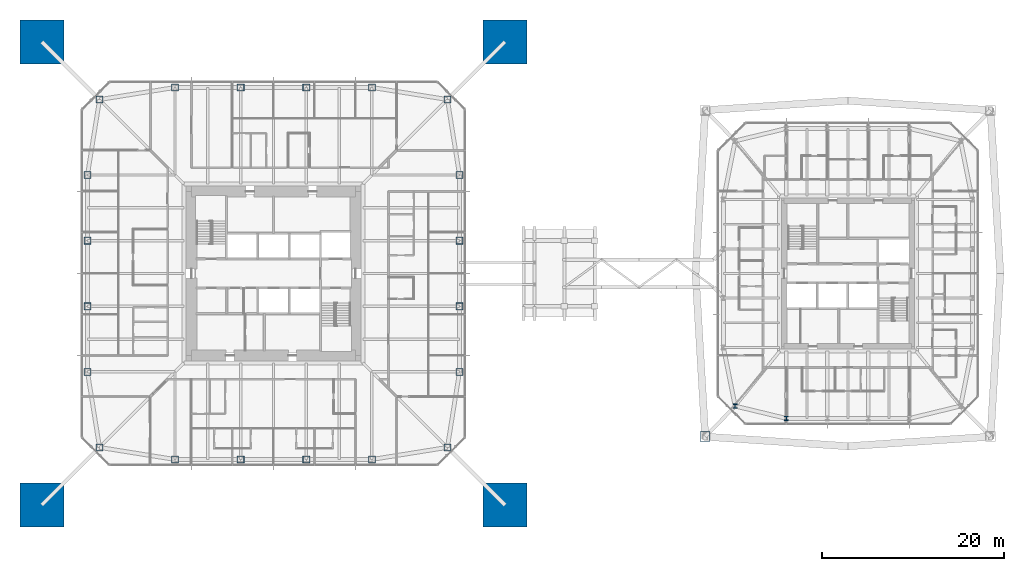
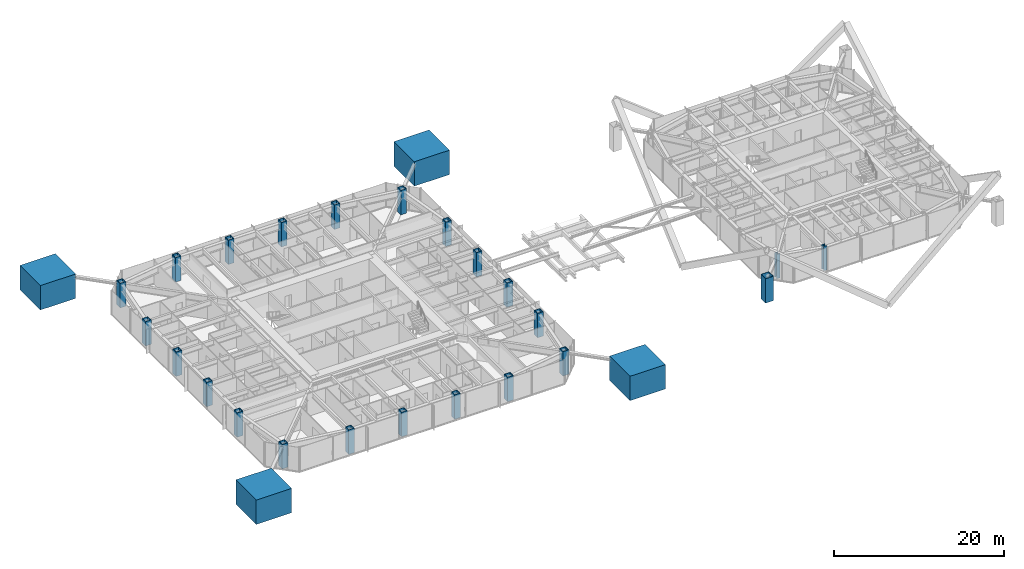
# One storey, part 1 of 27: 27 columns.
"""IFC4 building model written with IfcOpenShell, lengths in metres."""

import ifcopenshell
import ifcopenshell.guid

model = None  # the IFC model being written
_history = None  # IfcOwnerHistory: only IFC2X3 demands one
_inside = {}  # id of a spatial element -> (the spatial element, [elements in it])
_under = {}  # id of a project, library or spatial element -> (it, [spatial elements below it])
_declared = {}  # id of a project -> (the project, [libraries it declares])
_typed = {}  # id of a type object -> (the type object, [elements of that type])
_made_of = {}  # id of a material, layer set ... -> (it, [elements and type objects made of it])


def new_model(schema):
    """Start an empty IFC model of exactly this schema.

    Asked for "IFC4X3", IfcOpenShell would pick the latest addendum, in which some entities
    have other attributes; the version numbers below select the first issue.
    IFC2X3 requires an IfcOwnerHistory on every rooted entity: one is made here for all.
    """
    global model, _history
    if schema == "IFC4X3":
        model = ifcopenshell.file(schema_version=(4, 3, 0, 0))
    else:
        model = ifcopenshell.file(schema=schema)
    _inside.clear()
    _under.clear()
    _declared.clear()
    _typed.clear()
    _made_of.clear()
    _history = None
    if model.schema == "IFC2X3":
        org = make("IfcOrganization", Name="unknown")
        user = make(
            "IfcPersonAndOrganization",
            ThePerson=make("IfcPerson", FamilyName="unknown"),
            TheOrganization=org,
        )
        app = make(
            "IfcApplication",
            ApplicationDeveloper=org,
            Version="unknown",
            ApplicationFullName="unknown",
            ApplicationIdentifier="unknown",
        )
        _history = make(
            "IfcOwnerHistory",
            OwningUser=user,
            OwningApplication=app,
            ChangeAction="ADDED",
            CreationDate=0,
        )
    return model


def make(cls, **values):
    """One entity of the class cls with the attributes given. An attribute that is None is left unset."""
    return model.create_entity(
        cls, **{name: value for name, value in values.items() if value is not None}
    )


def rooted(cls, **values):
    """An entity with a GlobalId (a new one), such as an element, a storey or a relation."""
    return make(cls, GlobalId=ifcopenshell.guid.new(), OwnerHistory=_history, **values)


def si_unit(unit_type, name, prefix=None):
    """IfcSIUnit, for example si_unit("LENGTHUNIT", "METRE", prefix="MILLI")."""
    return make("IfcSIUnit", UnitType=unit_type, Prefix=prefix, Name=name)


def assignment(units):
    """IfcUnitAssignment: the units of a project."""
    return None if units is None else make("IfcUnitAssignment", Units=units)


def point(xyz):
    """IfcCartesianPoint."""
    return None if xyz is None else make("IfcCartesianPoint", Coordinates=xyz)


def direction(xyz):
    """IfcDirection."""
    return None if xyz is None else make("IfcDirection", DirectionRatios=xyz)


def frame(location, z_axis=None, x_axis=None):
    """IfcAxis2Placement3D, a coordinate frame: its origin and axes. An axis left out is left unset."""
    return make(
        "IfcAxis2Placement3D",
        Location=point(location),
        Axis=direction(z_axis),
        RefDirection=direction(x_axis),
    )


def frame_2d(location, x_axis=None):
    """IfcAxis2Placement2D, a coordinate frame in the plane: its origin and x axis."""
    return make(
        "IfcAxis2Placement2D", Location=point(location), RefDirection=direction(x_axis)
    )


def origin():
    """The frame at (0, 0, 0) with its axes left unset."""
    return frame((0.0, 0.0, 0.0))


def origin_2d():
    """The frame at (0, 0) in the plane with its x axis left unset."""
    return frame_2d((0.0, 0.0))


def place(relative_to, where):
    """IfcLocalPlacement: puts the frame where relative to a parent placement (None: the world)."""
    return make(
        "IfcLocalPlacement", PlacementRelTo=relative_to, RelativePlacement=where
    )


def context(
    kind, dimensions, precision=None, world=None, true_north=None, identifier=None
):
    """IfcGeometricRepresentationContext, for example the 3D "Model" context."""
    return make(
        "IfcGeometricRepresentationContext",
        ContextIdentifier=identifier,
        ContextType=kind,
        CoordinateSpaceDimension=dimensions,
        Precision=precision,
        WorldCoordinateSystem=world,
        TrueNorth=true_north,
    )


def subcontext(parent, identifier, kind, view, scale=None):
    """IfcGeometricRepresentationSubContext, for example "Body" below "Model"."""
    return make(
        "IfcGeometricRepresentationSubContext",
        ContextIdentifier=identifier,
        ContextType=kind,
        ParentContext=parent,
        TargetScale=scale,
        TargetView=view,
    )


def project(units=None, contexts=None):
    """IfcProject with its units and contexts."""
    return rooted(
        "IfcProject",
        Name="project",
        RepresentationContexts=contexts,
        UnitsInContext=assignment(units),
    )


def spatial(cls, under=None, at=None, **own):
    """A site, building, storey or space (cls), placed at a placement, below another one or the project."""
    s = rooted(cls, ObjectPlacement=at, **own)
    if under is not None:
        _under.setdefault(under.id(), (under, []))[1].append(s)
    return s


def profile(cls, at=None, kind="AREA", **sizes):
    """A parametric profile (cls). Its sizes go by their IFC names, for example OverallWidth=200.0."""
    return make(cls, ProfileType=kind, Position=at, **sizes)


def rectangle(**sizes):
    """IfcRectangleProfileDef."""
    return profile("IfcRectangleProfileDef", **sizes)


def hollow_rectangle(**sizes):
    """IfcRectangleHollowProfileDef."""
    return profile("IfcRectangleHollowProfileDef", **sizes)


def i_section(**sizes):
    """IfcIShapeProfileDef."""
    return profile("IfcIShapeProfileDef", **sizes)


def extrude(swept, where, along, depth):
    """IfcExtrudedAreaSolid: the profile swept, set in the frame where, extruded along a direction by depth."""
    return make(
        "IfcExtrudedAreaSolid",
        SweptArea=swept,
        Position=where,
        ExtrudedDirection=direction(along),
        Depth=depth,
    )


def shape(context_of_items, identifier, shape_type, items):
    """IfcShapeRepresentation: the items that make up one representation, for example the "Body"."""
    return make(
        "IfcShapeRepresentation",
        ContextOfItems=context_of_items,
        RepresentationIdentifier=identifier,
        RepresentationType=shape_type,
        Items=items,
    )


def material(Name=None, Category=None):
    """IfcMaterial."""
    return make("IfcMaterial", Name=Name, Category=Category)


def material_profile(
    of_material, cross_section, Name=None, Category=None, Priority=None
):
    """IfcMaterialProfile: a cross section and its material."""
    return make(
        "IfcMaterialProfile",
        Name=Name,
        Material=of_material,
        Profile=cross_section,
        Priority=Priority,
        Category=Category,
    )


def profile_set(profiles, Name=None, composite=None):
    """IfcMaterialProfileSet."""
    return make(
        "IfcMaterialProfileSet",
        Name=Name,
        MaterialProfiles=profiles,
        CompositeProfile=composite,
    )


def made_of(thing, what):
    """Note that an element or type object is made of a material, layer set ...; save() writes the relation."""
    if what is not None:
        _made_of.setdefault(what.id(), (what, []))[1].append(thing)
    return thing


def type_object(cls, material=None, **own):
    """A type object (cls), such as IfcWallType, which elements share."""
    return made_of(rooted(cls, **own), material)


def element(
    cls,
    number,
    at=None,
    inside=None,
    cuts=None,
    type_object=None,
    material=None,
    context=None,
    identifier="Body",
    shape_type=None,
    held_by="IfcProductDefinitionShape",
    body=None,
    shapes=None,
    **own,
):
    """One element of the class cls, such as IfcWall. Its Tag is "e" and its number.

    at: its placement. inside: the storey or other place that contains it. cuts: it is an
    opening in that element (IfcRelVoidsElement). A single representation is given by context,
    identifier, shape_type and body (its items); several are given by shapes. held_by: the class
    of the entity that holds the representations. save() writes the other relations.
    """
    e = rooted(cls, Tag="e%d" % number, ObjectPlacement=at, **own)
    if body is not None:
        shapes = [shape(context, identifier, shape_type, body)]
    if shapes is not None:
        e.Representation = make(held_by, Representations=shapes)
    if inside is not None:
        _inside.setdefault(inside.id(), (inside, []))[1].append(e)
    if cuts is not None:
        rooted(
            "IfcRelVoidsElement", RelatingBuildingElement=cuts, RelatedOpeningElement=e
        )
    if type_object is not None:
        _typed.setdefault(type_object.id(), (type_object, []))[1].append(e)
    return made_of(e, material)


def aggregate(whole, parts):
    """IfcRelAggregates: a whole, such as a stair, and the parts it consists of."""
    return rooted("IfcRelAggregates", RelatingObject=whole, RelatedObjects=parts)


def save(model, path):
    """Write the relations noted so far, then the file.

    IfcRelAggregates (storeys below a building ...), IfcRelContainedInSpatialStructure (elements
    in a storey), IfcRelDefinesByType, IfcRelAssociatesMaterial and IfcRelDeclares: one each for
    every whole, place, type object, material and project.
    """
    for whole, parts in _under.values():
        aggregate(whole, parts)
    for where, things in _inside.values():
        rooted(
            "IfcRelContainedInSpatialStructure",
            RelatedElements=things,
            RelatingStructure=where,
        )
    for kind, things in _typed.values():
        rooted("IfcRelDefinesByType", RelatedObjects=things, RelatingType=kind)
    for what, things in _made_of.values():
        rooted("IfcRelAssociatesMaterial", RelatedObjects=things, RelatingMaterial=what)
    for by, libraries in _declared.values():
        rooted("IfcRelDeclares", RelatingContext=by, RelatedDefinitions=libraries)
    model.write(path)


model = new_model("IFC4")

# Units and contexts
model_context = context("Model", 3, precision=1e-05, world=origin(), true_north=direction((0.0, 1.0)))
body_context = subcontext(model_context, "Body", "Model", "MODEL_VIEW")
ifc_project = project(units=[si_unit("LENGTHUNIT", "METRE"), si_unit("AREAUNIT", "SQUARE_METRE"), si_unit("VOLUMEUNIT", "CUBIC_METRE"), si_unit("PLANEANGLEUNIT", "RADIAN"), si_unit("MASSUNIT", "GRAM", prefix="KILO")], contexts=[model_context])

# Site, building, storey
site_placement = place(None, origin())
site = spatial("IfcSite", under=ifc_project, at=site_placement, CompositionType="ELEMENT")
building_placement = place(site_placement, origin())
building = spatial("IfcBuilding", under=site, at=building_placement, Name="Iwan Alto Co-Living Towers", CompositionType="ELEMENT")
storey_placement = place(building_placement, frame((0.0, 0.0, 94.5)))
storey = spatial("IfcBuildingStorey", under=building, at=storey_placement, Name="L25", CompositionType="ELEMENT", Elevation=94.5)

# Columns
ifc_material_1 = material(Name="Concrete f'c 70 MPa", Category="concrete")
ifc_material_profile_1 = material_profile(ifc_material_1, rectangle(XDim=4.800048828125, YDim=4.800048828125, at=origin_2d()), Name="RC 4800X4800")
ifc_profile_set_1 = profile_set([ifc_material_profile_1], Name="Concrete f'c 70 MPa")
column_type_1 = type_object("IfcColumnType", Name="T1 MEGA COLUMN RC 4800X4800", PredefinedType="COLUMN", material=ifc_profile_set_1)
for number, where, z_axis, x_axis, name in (
    (1, (-25.39990234375, -25.39990234375, 0.0), (0.0, 0.0, 1.0), (1.0, 0.0, 0.0), "T1 mega column SW L25"),
    (2, (25.39990234375, -25.39990234375, 0.0), (0.0, 0.0, 1.0), (1.0, 0.0, 0.0), "T1 mega column SE L25"),
    (3, (25.39990234375, 25.39990234375, 0.0), (0.0, 0.0, 1.0), (1.0, 0.0, 0.0), "T1 mega column NE L25"),
    (4, (-25.39990234375, 25.39990234375, 0.0), (0.0, 0.0, 1.0), (1.0, 0.0, 0.0), "T1 mega column NW L25"),
):
    element("IfcColumn", number, at=place(storey_placement, frame(where, z_axis=z_axis, x_axis=x_axis)), inside=storey, type_object=column_type_1, Name=name, PredefinedType="COLUMN", context=body_context, shape_type="SweptSolid", body=[
        extrude(rectangle(XDim=4.800048828125, YDim=4.800048828125, at=origin_2d()), origin(), (0.0, 0.0, 1.0), 3.5),
        extrude(i_section(OverallWidth=0.4775390625, OverallDepth=0.599365234375, WebThickness=0.10009765625, FlangeThickness=0.139892578125, at=origin_2d()), origin(), (0.0, 0.0, 1.0), 3.5),
    ])
ifc_material_2 = material(Name="Steel ASTM A572 Gr 50", Category="steel")
ifc_material_profile_2 = material_profile(ifc_material_2, hollow_rectangle(XDim=0.800048828125, YDim=0.800048828125, WallThickness=0.070068359375, at=origin_2d()), Name="BOX 800X800X70")
ifc_profile_set_2 = profile_set([ifc_material_profile_2], Name="Steel ASTM A572 Gr 50")
column_type_2 = type_object("IfcColumnType", Name="T1 RING COLUMN BOX 800X800X70", PredefinedType="COLUMN", material=ifc_profile_set_2)
for number, where, z_axis, x_axis, name in (
    (5, (-19.07568359375, -19.07568359375, 0.0), (0.0, 0.0, 1.0), (1.0, 0.0, 0.0), "T1 ring column CSW L25"),
    (6, (-10.800048828125, -20.39990234375, 0.0), (0.0, 0.0, 1.0), (1.0, 0.0, 0.0), "T1 ring column S1 L25"),
    (7, (-3.60009765625, -20.39990234375, 0.0), (0.0, 0.0, 1.0), (1.0, 0.0, 0.0), "T1 ring column S2 L25"),
    (8, (3.60009765625, -20.39990234375, 0.0), (0.0, 0.0, 1.0), (1.0, 0.0, 0.0), "T1 ring column S3 L25"),
    (9, (10.800048828125, -20.39990234375, 0.0), (0.0, 0.0, 1.0), (1.0, 0.0, 0.0), "T1 ring column S4 L25"),
    (10, (19.07568359375, -19.07568359375, 0.0), (0.0, 0.0, 1.0), (1.0, 0.0, 0.0), "T1 ring column CSE L25"),
    (11, (20.39990234375, -10.800048828125, 0.0), (0.0, 0.0, 1.0), (1.0, 0.0, 0.0), "T1 ring column E1 L25"),
    (12, (20.39990234375, -3.60009765625, 0.0), (0.0, 0.0, 1.0), (1.0, 0.0, 0.0), "T1 ring column E2 L25"),
    (13, (20.39990234375, 3.60009765625, 0.0), (0.0, 0.0, 1.0), (1.0, 0.0, 0.0), "T1 ring column E3 L25"),
    (14, (20.39990234375, 10.800048828125, 0.0), (0.0, 0.0, 1.0), (1.0, 0.0, 0.0), "T1 ring column E4 L25"),
    (15, (19.07568359375, 19.07568359375, 0.0), (0.0, 0.0, 1.0), (1.0, 0.0, 0.0), "T1 ring column CNE L25"),
    (16, (10.800048828125, 20.39990234375, 0.0), (0.0, 0.0, 1.0), (1.0, 0.0, 0.0), "T1 ring column N1 L25"),
    (17, (3.60009765625, 20.39990234375, 0.0), (0.0, 0.0, 1.0), (1.0, 0.0, 0.0), "T1 ring column N2 L25"),
    (18, (-3.60009765625, 20.39990234375, 0.0), (0.0, 0.0, 1.0), (1.0, 0.0, 0.0), "T1 ring column N3 L25"),
    (19, (-10.800048828125, 20.39990234375, 0.0), (0.0, 0.0, 1.0), (1.0, 0.0, 0.0), "T1 ring column N4 L25"),
    (20, (-19.07568359375, 19.07568359375, 0.0), (0.0, 0.0, 1.0), (1.0, 0.0, 0.0), "T1 ring column CNW L25"),
    (21, (-20.39990234375, 10.800048828125, 0.0), (0.0, 0.0, 1.0), (1.0, 0.0, 0.0), "T1 ring column W1 L25"),
    (22, (-20.39990234375, 3.60009765625, 0.0), (0.0, 0.0, 1.0), (1.0, 0.0, 0.0), "T1 ring column W2 L25"),
    (23, (-20.39990234375, -3.60009765625, 0.0), (0.0, 0.0, 1.0), (1.0, 0.0, 0.0), "T1 ring column W3 L25"),
    (24, (-20.39990234375, -10.800048828125, 0.0), (0.0, 0.0, 1.0), (1.0, 0.0, 0.0), "T1 ring column W4 L25"),
):
    element("IfcColumn", number, at=place(storey_placement, frame(where, z_axis=z_axis, x_axis=x_axis)), inside=storey, type_object=column_type_2, Name=name, PredefinedType="COLUMN", context=body_context, shape_type="SweptSolid", body=[
        extrude(hollow_rectangle(XDim=0.800048828125, YDim=0.800048828125, WallThickness=0.070068359375, at=origin_2d()), origin(), (0.0, 0.0, 1.0), 3.5),
    ])
ifc_material_3 = material(Name="Steel ASTM A572 Gr 50", Category="steel")
ifc_material_profile_3 = material_profile(ifc_material_3, hollow_rectangle(XDim=1.10009765625, YDim=1.10009765625, WallThickness=0.06005859375, at=origin_2d()), Name="BOX 1100X1100X60")
ifc_profile_set_3 = profile_set([ifc_material_profile_3], Name="Steel ASTM A572 Gr 50")
column_type_3 = type_object("IfcColumnType", Name="T2 MEGA COLUMN BOX 1100X1100X60", PredefinedType="COLUMN", material=ifc_profile_set_3)
column_placement = place(storey_placement, frame((47.35009765625, -17.89990234375, 0.0), z_axis=(0.0, 0.0, 1.0), x_axis=(1.0, 0.0, 0.0)))
element("IfcColumn", 25, at=column_placement, inside=storey, type_object=column_type_3, Name="T2 mega column SW L25", PredefinedType="COLUMN", context=body_context, shape_type="SweptSolid", body=[
    extrude(hollow_rectangle(XDim=1.10009765625, YDim=1.10009765625, WallThickness=0.06005859375, at=origin_2d()), origin(), (0.0, 0.0, 1.0), 3.5),
])
ifc_material_4 = material(Name="Steel ASTM A992 Gr 50", Category="steel")
ifc_material_profile_4 = material_profile(ifc_material_4, i_section(OverallWidth=0.4267578125, OverallDepth=0.482666015625, WebThickness=0.05126953125, FlangeThickness=0.08154296875, at=origin_2d()), Name="W14X455")
ifc_profile_set_4 = profile_set([ifc_material_profile_4], Name="Steel ASTM A992 Gr 50")
column_type_4 = type_object("IfcColumnType", Name="T2 RING COLUMN W14X455", PredefinedType="COLUMN", material=ifc_profile_set_4)
for number, where, z_axis, x_axis, name in (
    (26, (50.638671875, -14.542724609375, 0.0), (0.0, 0.0, 1.0), (1.0, 0.0, 0.0), "T2 ring column CSW L25"),
    (27, (56.25, -15.89990234375, 0.0), (0.0, 0.0, 1.0), (1.0, 0.0, 0.0), "T2 ring column S1 L25"),
):
    element("IfcColumn", number, at=place(storey_placement, frame(where, z_axis=z_axis, x_axis=x_axis)), inside=storey, type_object=column_type_4, Name=name, PredefinedType="COLUMN", context=body_context, shape_type="SweptSolid", body=[
        extrude(i_section(OverallWidth=0.4267578125, OverallDepth=0.482666015625, WebThickness=0.05126953125, FlangeThickness=0.08154296875, at=origin_2d()), origin(), (0.0, 0.0, 1.0), 3.5),
    ])

save(model, "model.ifc")
